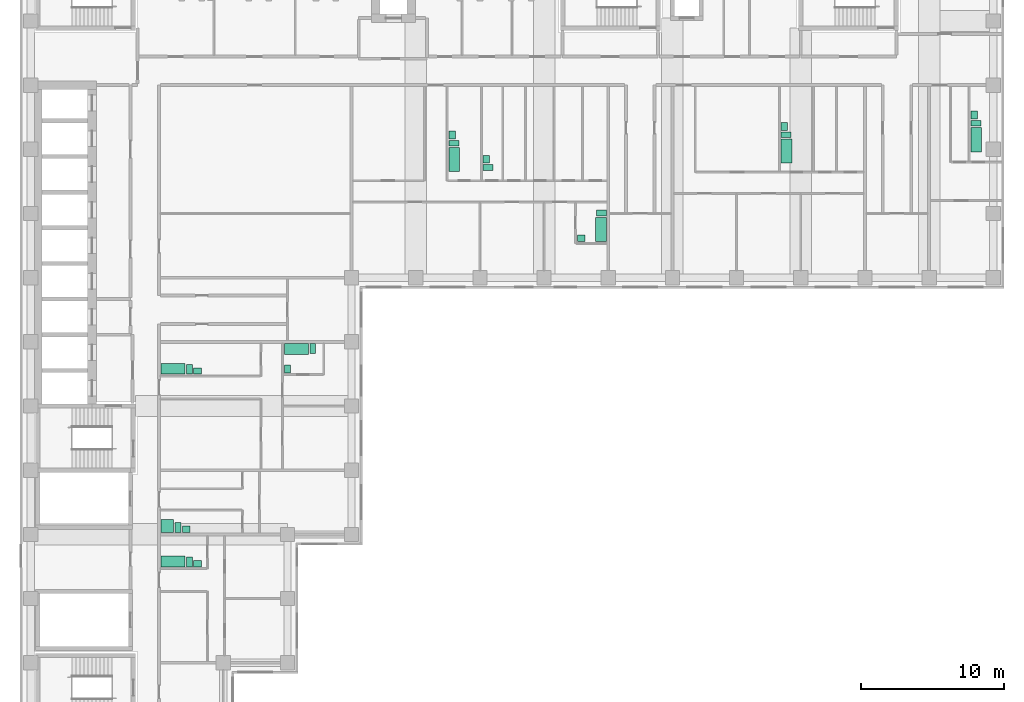
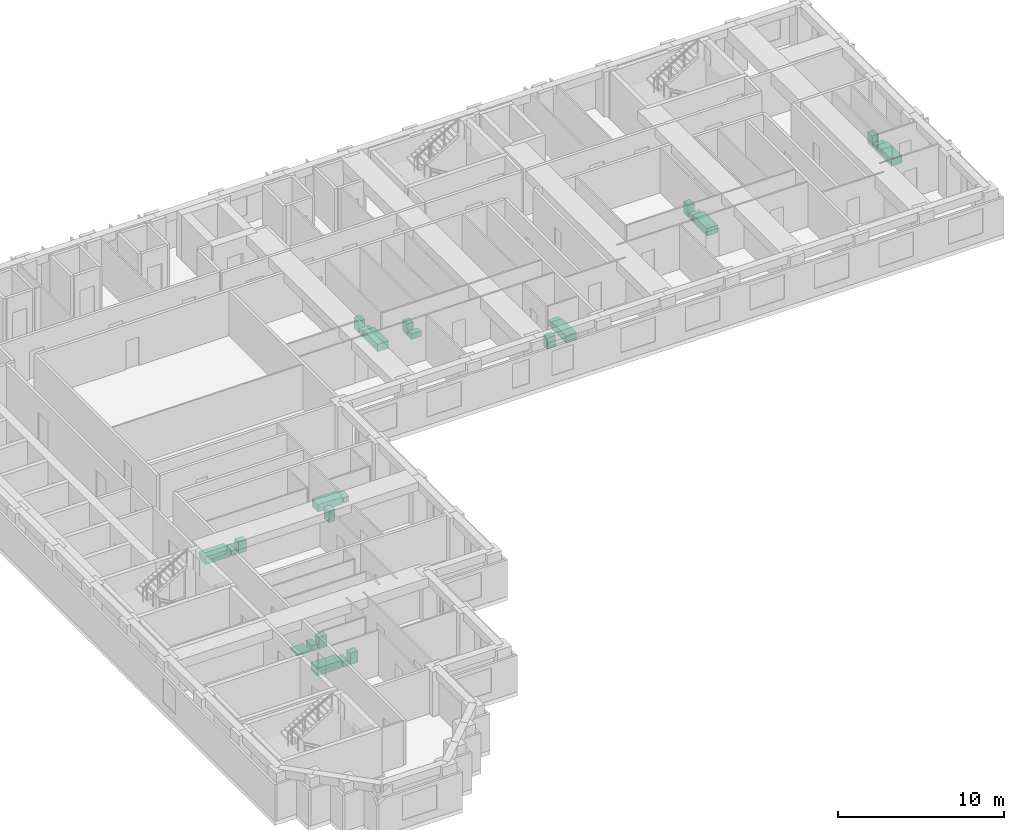
# One storey, part 12 of 12: 26 sanitary terminals.
"""IFC4 building model written with IfcOpenShell, lengths in metres."""

from ifc_helpers import new_model, si_unit, direction, frame, origin, origin_2d, place, context, subcontext, project, spatial, rectangle, extrude, material, type_object, element, save


model = new_model("IFC4")

# Units and contexts
model_context = context("Model", 3, precision=1e-05, world=origin(), true_north=direction((0.0, 1.0)))
body_context = subcontext(model_context, "Body", "Model", "MODEL_VIEW")
ifc_project = project(units=[si_unit("LENGTHUNIT", "METRE"), si_unit("AREAUNIT", "SQUARE_METRE"), si_unit("VOLUMEUNIT", "CUBIC_METRE"), si_unit("PLANEANGLEUNIT", "RADIAN"), si_unit("MASSUNIT", "GRAM", prefix="KILO")], contexts=[model_context])

# Site, building, storey
site_placement = place(None, origin())
site = spatial("IfcSite", under=ifc_project, at=site_placement, CompositionType="ELEMENT")
building_placement = place(site_placement, origin())
building = spatial("IfcBuilding", under=site, at=building_placement, Name="Firuza Court", CompositionType="ELEMENT")
storey_placement = place(building_placement, frame((0.0, 0.0, 155.60009765625)))
storey = spatial("IfcBuildingStorey", under=building, at=storey_placement, Name="L39", CompositionType="ELEMENT", Elevation=155.60009765625)

# Sanitary terminals
ifc_material_1 = material(Name="Vitreous china", Category="ceramic")
sanitary_terminal_type_1 = type_object("IfcSanitaryTerminalType", Name="Fixture Bath", PredefinedType="BATH", material=ifc_material_1)
for number, where, z_axis, x_axis, name in (
    (1, (29.705078125, 44.280029296875, 0.0), (0.0, 0.0, 1.0), (1.0, 0.0, 0.0), "Bath"),
    (2, (39.9951171875, 39.3798828125, 0.0), (0.0, 0.0, 1.0), (1.0, 0.0, 0.0), "Bath"),
    (3, (53.0048828125, 44.8798828125, 0.0), (0.0, 0.0, 1.0), (1.0, 0.0, 0.0), "Bath"),
    (4, (66.304931640625, 45.679931640625, 0.0), (0.0, 0.0, 1.0), (1.0, 0.0, 0.0), "Bath"),
):
    element("IfcSanitaryTerminal", number, at=place(storey_placement, frame(where, z_axis=z_axis, x_axis=x_axis)), inside=storey, type_object=sanitary_terminal_type_1, Name=name, PredefinedType="BATH", context=body_context, shape_type="SweptSolid", body=[
        extrude(rectangle(XDim=0.75, YDim=1.699951171875, at=origin_2d()), origin(), (0.0, 0.0, 1.0), 0.550048828125),
    ])
for number, where, z_axis, x_axis, name in (
    (5, (9.97998046875, 29.60498046875, 0.0), (0.0, 0.0, 1.0), (1.0, 0.0, 0.0), "Bath"),
    (6, (18.6298828125, 30.9951171875, 0.0), (0.0, 0.0, 1.0), (1.0, 0.0, 0.0), "Bath"),
    (7, (9.97998046875, 16.10498046875, 0.0), (0.0, 0.0, 1.0), (1.0, 0.0, 0.0), "Bath"),
):
    element("IfcSanitaryTerminal", number, at=place(storey_placement, frame(where, z_axis=z_axis, x_axis=x_axis)), inside=storey, type_object=sanitary_terminal_type_1, Name=name, PredefinedType="BATH", context=body_context, shape_type="SweptSolid", body=[
        extrude(rectangle(XDim=1.699951171875, YDim=0.75, at=origin_2d()), origin(), (0.0, 0.0, 1.0), 0.550048828125),
    ])
ifc_material_2 = material(Name="Vitreous china", Category="ceramic")
sanitary_terminal_type_2 = type_object("IfcSanitaryTerminalType", Name="Fixture Shower tray", PredefinedType="SHOWER", material=ifc_material_2)
sanitary_terminal_1_placement = place(storey_placement, frame((9.580078125, 18.580078125, -0.000244140625), z_axis=(0.0, 0.0, 1.0), x_axis=(1.0, 0.0, 0.0)))
element("IfcSanitaryTerminal", 8, at=sanitary_terminal_1_placement, inside=storey, type_object=sanitary_terminal_type_2, Name="Shower tray", PredefinedType="SHOWER", context=body_context, shape_type="SweptSolid", body=[
    extrude(rectangle(XDim=0.89990234375, YDim=0.89990234375, at=origin_2d()), origin(), (0.0, 0.0, 1.0), 0.10009765625),
])
ifc_material_3 = material(Name="Vitreous china", Category="ceramic")
sanitary_terminal_type_3 = type_object("IfcSanitaryTerminalType", Name="Fixture WC pan", PredefinedType="TOILETPAN", material=ifc_material_3)
for number, where, z_axis, x_axis, name in (
    (9, (29.679931640625, 45.429931640625, 0.0), (0.0, 0.0, 1.0), (1.0, 0.0, 0.0), "WC pan"),
    (10, (32.080078125, 43.72998046875, 0.0), (0.0, 0.0, 1.0), (1.0, 0.0, 0.0), "WC pan"),
    (11, (40.02001953125, 40.530029296875, 0.0), (0.0, 0.0, 1.0), (1.0, 0.0, 0.0), "WC pan"),
    (12, (52.97998046875, 46.030029296875, 0.0), (0.0, 0.0, 1.0), (1.0, 0.0, 0.0), "WC pan"),
    (13, (66.280029296875, 46.830078125, 0.0), (0.0, 0.0, 1.0), (1.0, 0.0, 0.0), "WC pan"),
):
    element("IfcSanitaryTerminal", number, at=place(storey_placement, frame(where, z_axis=z_axis, x_axis=x_axis)), inside=storey, type_object=sanitary_terminal_type_3, Name=name, PredefinedType="TOILETPAN", context=body_context, shape_type="SweptSolid", body=[
        extrude(rectangle(XDim=0.699951171875, YDim=0.39990234375, at=origin_2d()), origin(), (0.0, 0.0, 1.0), 0.39990234375),
    ])
for number, where, z_axis, x_axis, name in (
    (14, (11.1298828125, 29.580078125, 0.0), (0.0, 0.0, 1.0), (1.0, 0.0, 0.0), "WC pan"),
    (15, (19.780029296875, 31.02001953125, 0.0), (0.0, 0.0, 1.0), (1.0, 0.0, 0.0), "WC pan"),
    (16, (10.330078125, 18.47998046875, 0.0), (0.0, 0.0, 1.0), (1.0, 0.0, 0.0), "WC pan"),
    (17, (11.1298828125, 16.080078125, 0.0), (0.0, 0.0, 1.0), (1.0, 0.0, 0.0), "WC pan"),
):
    element("IfcSanitaryTerminal", number, at=place(storey_placement, frame(where, z_axis=z_axis, x_axis=x_axis)), inside=storey, type_object=sanitary_terminal_type_3, Name=name, PredefinedType="TOILETPAN", context=body_context, shape_type="SweptSolid", body=[
        extrude(rectangle(XDim=0.39990234375, YDim=0.699951171875, at=origin_2d()), origin(), (0.0, 0.0, 1.0), 0.39990234375),
    ])
ifc_material_4 = material(Name="Vitreous china", Category="ceramic")
sanitary_terminal_type_4 = type_object("IfcSanitaryTerminalType", Name="Fixture Washbasin", PredefinedType="WASHHANDBASIN", material=ifc_material_4)
for number, where, z_axis, x_axis, name in (
    (18, (29.554931640625, 46.0048828125, -0.000244140625), (0.0, 0.0, 1.0), (1.0, 0.0, 0.0), "Washbasin"),
    (19, (31.955078125, 44.304931640625, -0.000244140625), (0.0, 0.0, 1.0), (1.0, 0.0, 0.0), "Washbasin"),
):
    element("IfcSanitaryTerminal", number, at=place(storey_placement, frame(where, z_axis=z_axis, x_axis=x_axis)), inside=storey, type_object=sanitary_terminal_type_4, Name=name, PredefinedType="WASHHANDBASIN", context=body_context, shape_type="SweptSolid", body=[
        extrude(rectangle(XDim=0.449951171875, YDim=0.550048828125, at=origin_2d()), origin(), (0.0, 0.0, 1.0), 0.85009765625),
    ])
sanitary_terminal_2_placement = place(storey_placement, frame((38.60498046875, 38.7548828125, -0.000244140625), z_axis=(0.0, 0.0, 1.0), x_axis=(1.0, 0.0, 0.0)))
element("IfcSanitaryTerminal", 20, at=sanitary_terminal_2_placement, inside=storey, type_object=sanitary_terminal_type_4, Name="Washbasin", PredefinedType="WASHHANDBASIN", context=body_context, shape_type="SweptSolid", body=[
    extrude(rectangle(XDim=0.550048828125, YDim=0.449951171875, at=origin_2d()), origin(), (0.0, 0.0, 1.0), 0.85009765625),
])
for number, where, z_axis, x_axis, name in (
    (21, (52.85498046875, 46.60498046875, -0.000244140625), (0.0, 0.0, 1.0), (1.0, 0.0, 0.0), "Washbasin"),
    (22, (66.155029296875, 47.405029296875, -0.000244140625), (0.0, 0.0, 1.0), (1.0, 0.0, 0.0), "Washbasin"),
):
    element("IfcSanitaryTerminal", number, at=place(storey_placement, frame(where, z_axis=z_axis, x_axis=x_axis)), inside=storey, type_object=sanitary_terminal_type_4, Name=name, PredefinedType="WASHHANDBASIN", context=body_context, shape_type="SweptSolid", body=[
        extrude(rectangle(XDim=0.449951171875, YDim=0.550048828125, at=origin_2d()), origin(), (0.0, 0.0, 1.0), 0.85009765625),
    ])
sanitary_terminal_3_placement = place(storey_placement, frame((11.705078125, 29.455078125, -0.000244140625), z_axis=(0.0, 0.0, 1.0), x_axis=(1.0, 0.0, 0.0)))
element("IfcSanitaryTerminal", 23, at=sanitary_terminal_3_placement, inside=storey, type_object=sanitary_terminal_type_4, Name="Washbasin", PredefinedType="WASHHANDBASIN", context=body_context, shape_type="SweptSolid", body=[
    extrude(rectangle(XDim=0.550048828125, YDim=0.449951171875, at=origin_2d()), origin(), (0.0, 0.0, 1.0), 0.85009765625),
])
sanitary_terminal_4_placement = place(storey_placement, frame((18.0048828125, 29.60498046875, -0.000244140625), z_axis=(0.0, 0.0, 1.0), x_axis=(1.0, 0.0, 0.0)))
element("IfcSanitaryTerminal", 24, at=sanitary_terminal_4_placement, inside=storey, type_object=sanitary_terminal_type_4, Name="Washbasin", PredefinedType="WASHHANDBASIN", context=body_context, shape_type="SweptSolid", body=[
    extrude(rectangle(XDim=0.449951171875, YDim=0.550048828125, at=origin_2d()), origin(), (0.0, 0.0, 1.0), 0.85009765625),
])
for number, where, z_axis, x_axis, name in (
    (25, (10.905029296875, 18.35498046875, -0.000244140625), (0.0, 0.0, 1.0), (1.0, 0.0, 0.0), "Washbasin"),
    (26, (11.705078125, 15.955078125, -0.000244140625), (0.0, 0.0, 1.0), (1.0, 0.0, 0.0), "Washbasin"),
):
    element("IfcSanitaryTerminal", number, at=place(storey_placement, frame(where, z_axis=z_axis, x_axis=x_axis)), inside=storey, type_object=sanitary_terminal_type_4, Name=name, PredefinedType="WASHHANDBASIN", context=body_context, shape_type="SweptSolid", body=[
        extrude(rectangle(XDim=0.550048828125, YDim=0.449951171875, at=origin_2d()), origin(), (0.0, 0.0, 1.0), 0.85009765625),
    ])

save(model, "model.ifc")
